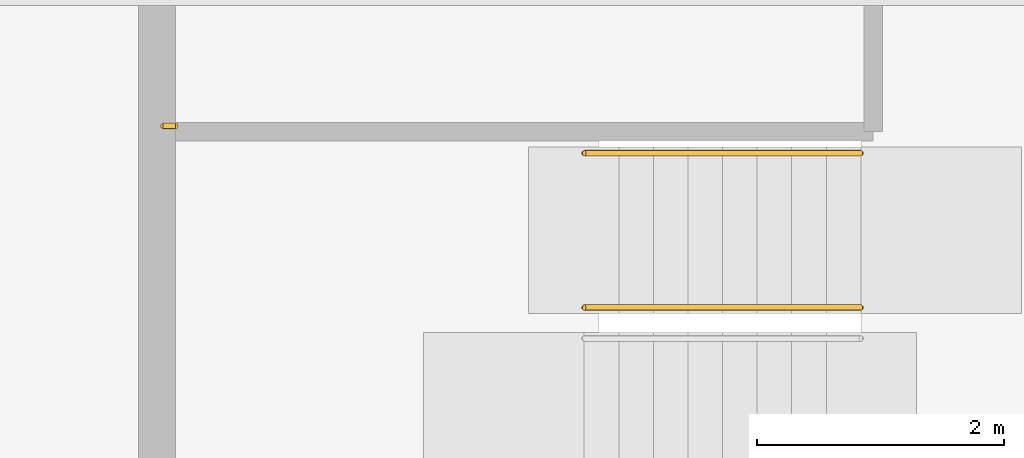
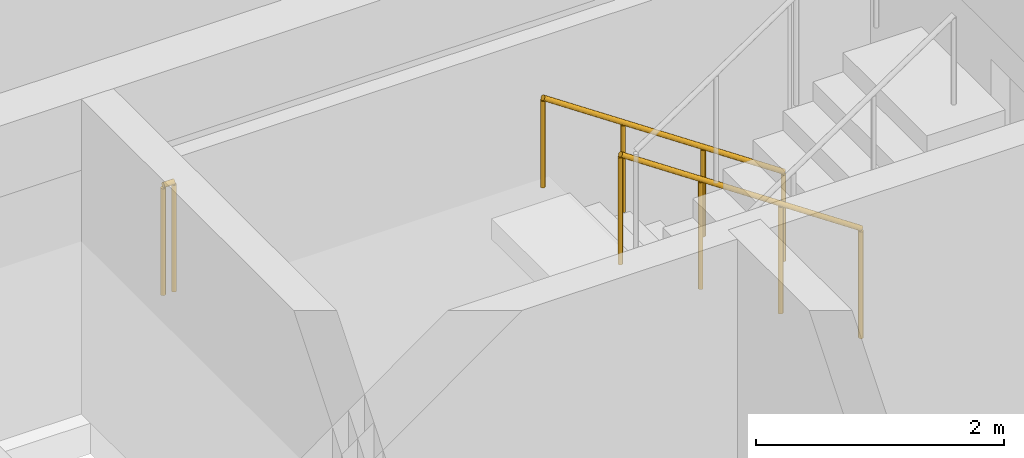
# One storey, part 11 of 12: 3 railings.
"""IFC4 building model written with IfcOpenShell, lengths in metres."""

from ifc_helpers import new_model, si_unit, direction, frame, origin, origin_2d, place, context, subcontext, project, spatial, circle, extrude, material, type_object, element, save


model = new_model("IFC4")

# Units and contexts
model_context = context("Model", 3, precision=1e-05, world=origin(), true_north=direction((0.0, 1.0)))
body_context = subcontext(model_context, "Body", "Model", "MODEL_VIEW")
ifc_project = project(units=[si_unit("LENGTHUNIT", "METRE"), si_unit("AREAUNIT", "SQUARE_METRE"), si_unit("VOLUMEUNIT", "CUBIC_METRE"), si_unit("PLANEANGLEUNIT", "RADIAN"), si_unit("MASSUNIT", "GRAM", prefix="KILO")], contexts=[model_context])

# Site, building, storey
site_placement = place(None, origin())
site = spatial("IfcSite", under=ifc_project, at=site_placement, CompositionType="ELEMENT")
building_placement = place(site_placement, origin())
building = spatial("IfcBuilding", under=site, at=building_placement, Name="Windrow Commons", CompositionType="ELEMENT")
storey_placement = place(building_placement, frame((0.0, 0.0, 257.4)))
storey = spatial("IfcBuildingStorey", under=building, at=storey_placement, Name="L70", CompositionType="ELEMENT", Elevation=257.4)

# Railings
ifc_material_1 = material(Name="Steel S355", Category="steel")
railing_type_1 = type_object("IfcRailingType", Name="Core stair guard 1100", PredefinedType="GUARDRAIL", material=ifc_material_1)
railing_1_placement = place(storey_placement, frame((70.5, 62.355, 0.1889)))
element("IfcRailing", 1, at=railing_1_placement, inside=storey, type_object=railing_type_1, Name="L70 ST-A2 stair guard 1", PredefinedType="GUARDRAIL", context=body_context, shape_type="SweptSolid", body=[
    extrude(circle(Radius=0.024, at=origin_2d()), frame((0.0, 0.0, 1.076), z_axis=(-0.8290030985, 0.0, 0.5592440099), x_axis=(0.0, -1.0, 0.0)), (0.0, 0.0, 1.0), 2.702),
    extrude(circle(Radius=0.021, at=origin_2d()), origin(), (0.0, 0.0, 1.0), 1.052),
    extrude(circle(Radius=0.021, at=origin_2d()), frame((-0.7467, 0.0, 0.5037)), (0.0, 0.0, 1.0), 1.052),
    extrude(circle(Radius=0.021, at=origin_2d()), frame((-1.4933, 0.0, 1.0074)), (0.0, 0.0, 1.0), 1.052),
    extrude(circle(Radius=0.021, at=origin_2d()), frame((-2.24, 0.0, 1.5111)), (0.0, 0.0, 1.0), 1.052),
])
railing_2_placement = place(storey_placement, frame((64.95, 63.825, 1.7)))
element("IfcRailing", 2, at=railing_2_placement, inside=storey, type_object=railing_type_1, Name="L70 ST-A2 stair guard 3", PredefinedType="GUARDRAIL", context=body_context, shape_type="SweptSolid", body=[
    extrude(circle(Radius=0.024, at=origin_2d()), frame((0.0, 0.0, 1.076), z_axis=(-1.0, 0.0, 0.0), x_axis=(0.0, -1.0, 0.0)), (0.0, 0.0, 1.0), 0.1),
    extrude(circle(Radius=0.021, at=origin_2d()), origin(), (0.0, 0.0, 1.0), 1.052),
    extrude(circle(Radius=0.021, at=origin_2d()), frame((-0.1, 0.0, 0.0)), (0.0, 0.0, 1.0), 1.052),
])
ifc_material_2 = material(Name="Steel S355", Category="steel")
railing_type_2 = type_object("IfcRailingType", Name="Core stair handrail 900", PredefinedType="HANDRAIL", material=ifc_material_2)
railing_3_placement = place(storey_placement, frame((70.5, 63.605, 0.1889)))
element("IfcRailing", 3, at=railing_3_placement, inside=storey, type_object=railing_type_2, Name="L70 ST-A2 stair handrail 1", PredefinedType="HANDRAIL", context=body_context, shape_type="SweptSolid", body=[
    extrude(circle(Radius=0.024, at=origin_2d()), frame((0.0, 0.0, 0.876), z_axis=(-0.8290030985, 0.0, 0.5592440099), x_axis=(0.0, -1.0, 0.0)), (0.0, 0.0, 1.0), 2.702),
    extrude(circle(Radius=0.021, at=origin_2d()), origin(), (0.0, 0.0, 1.0), 0.852),
    extrude(circle(Radius=0.021, at=origin_2d()), frame((-0.7467, 0.0, 0.5037)), (0.0, 0.0, 1.0), 0.852),
    extrude(circle(Radius=0.021, at=origin_2d()), frame((-1.4933, 0.0, 1.0074)), (0.0, 0.0, 1.0), 0.852),
    extrude(circle(Radius=0.021, at=origin_2d()), frame((-2.24, 0.0, 1.5111)), (0.0, 0.0, 1.0), 0.852),
])

save(model, "model.ifc")
